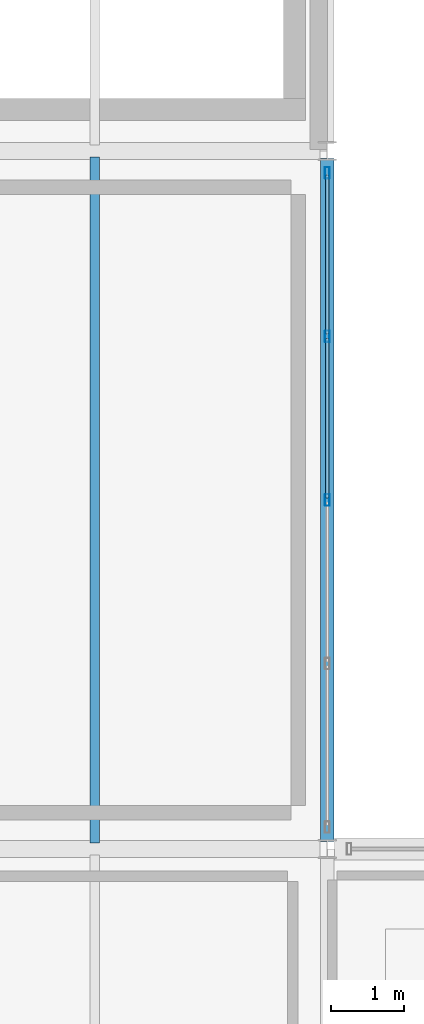
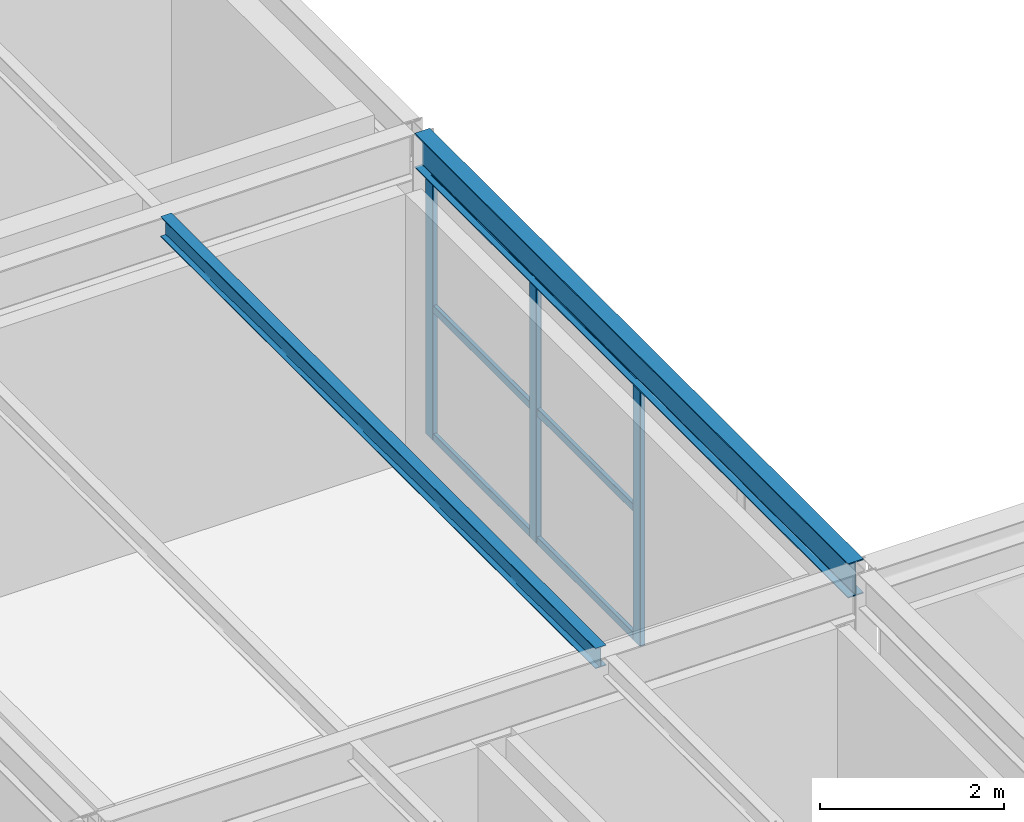
# One storey, part 17 of 33: 9 members, 2 beams, 1 element without a shape of its own.
"""IFC4 building model written with IfcOpenShell, lengths in metres."""

from ifc_helpers import new_model, si_unit, direction, frame, origin, origin_2d, place, context, subcontext, project, spatial, hollow_rectangle, i_section, extrude, material, material_profile, profile_set, type_object, element, aggregate, save


model = new_model("IFC4")

# Units and contexts
model_context = context("Model", 3, precision=1e-05, world=origin(), true_north=direction((0.0, 1.0)))
body_context = subcontext(model_context, "Body", "Model", "MODEL_VIEW")
ifc_project = project(units=[si_unit("LENGTHUNIT", "METRE"), si_unit("AREAUNIT", "SQUARE_METRE"), si_unit("VOLUMEUNIT", "CUBIC_METRE"), si_unit("PLANEANGLEUNIT", "RADIAN"), si_unit("MASSUNIT", "GRAM", prefix="KILO")], contexts=[model_context])

# Site, building, storey
site_placement = place(None, origin())
site = spatial("IfcSite", under=ifc_project, at=site_placement, CompositionType="ELEMENT")
building_placement = place(site_placement, origin())
building = spatial("IfcBuilding", under=site, at=building_placement, Name="Coralgate Yard Interchange", CompositionType="ELEMENT")
storey_placement = place(building_placement, frame((0.0, 0.0, 23.10009765625)))
storey = spatial("IfcBuildingStorey", under=building, at=storey_placement, Name="L05", CompositionType="ELEMENT", Elevation=23.10009765625)

# Beams
ifc_material_1 = material(Name="Structural steel S355J2", Category="steel")
ifc_material_profile_1 = material_profile(ifc_material_1, i_section(OverallWidth=0.1904296875, OverallDepth=0.45703125, WebThickness=0.009033203125, FlangeThickness=0.014404296875, FilletRadius=0.01025390625, at=origin_2d()), Name="UB 457x191x74")
ifc_profile_set_1 = profile_set([ifc_material_profile_1], Name="Structural steel S355J2")
beam_type_1 = type_object("IfcBeamType", Name="BM-SB-2", PredefinedType="BEAM", material=ifc_profile_set_1)
beam_1_placement = place(storey_placement, frame((19.199951171875, 19.300048828125, 3.69140625), z_axis=(0.0, 1.0, 0.0), x_axis=(-1.0, 0.0, 0.0)))
element("IfcBeam", 1, at=beam_1_placement, inside=storey, type_object=beam_type_1, Name="L05 primary grid girder X2 Y2-3", PredefinedType="BEAM", context=body_context, shape_type="SweptSolid", body=[
    extrude(i_section(OverallWidth=0.1904296875, OverallDepth=0.45703125, WebThickness=0.009033203125, FlangeThickness=0.014404296875, FilletRadius=0.01025390625, at=origin_2d()), origin(), (0.0, 0.0, 1.0), 9.399658203125),
])
ifc_material_profile_2 = material_profile(ifc_material_1, i_section(OverallWidth=0.135009765625, OverallDepth=0.27001953125, WebThickness=0.006591796875, FlangeThickness=0.01025390625, FilletRadius=0.014892578125, at=origin_2d()), Name="IPE 270")
ifc_profile_set_2 = profile_set([ifc_material_profile_2], Name="Structural steel S355J2")
beam_type_2 = type_object("IfcBeamType", Name="BM-SJ-3", PredefinedType="JOIST", material=ifc_profile_set_2)
beam_2_placement = place(storey_placement, frame((16.0, 19.2841796875, 3.784912109375), z_axis=(0.0, 1.0, 0.0), x_axis=(-1.0, 0.0, 0.0)))
element("IfcBeam", 2, at=beam_2_placement, inside=storey, type_object=beam_type_2, Name="L05 composite floor joist 1-2-2", PredefinedType="JOIST", context=body_context, shape_type="SweptSolid", body=[
    extrude(i_section(OverallWidth=0.135009765625, OverallDepth=0.27001953125, WebThickness=0.006591796875, FlangeThickness=0.01025390625, FilletRadius=0.014892578125, at=origin_2d()), origin(), (0.0, 0.0, 1.0), 9.431640625),
])

# Curtain wall, members
ifc_material_2 = material(Name="Anodised coastal aluminium and solar-control low-E glass", Category="aluminium")
curtain_wall_type = type_object("IfcCurtainWallType", Name="CW-CW-L05-A", PredefinedType="NOTDEFINED", material=ifc_material_2)
curtain_wall_placement = place(storey_placement, origin())
curtain_wall = element("IfcCurtainWall", 3, at=curtain_wall_placement, inside=storey, type_object=curtain_wall_type, Name="L05 unitised curtain wall CW-L05-E-01-02", PredefinedType="NOTDEFINED")
ifc_material_3 = material(Name="Anodised coastal aluminium 6063-T6", Category="aluminium")
ifc_material_profile_3 = material_profile(ifc_material_3, hollow_rectangle(XDim=0.06494140625, YDim=0.159912109375, WallThickness=0.00390625, InnerFilletRadius=0.00390625, OuterFilletRadius=0.008056640625, at=origin_2d()), Name="ALU 65x160x4")
ifc_profile_set_3 = profile_set([ifc_material_profile_3], Name="Anodised coastal aluminium 6063-T6")
member_type_1 = type_object("IfcMemberType", Name="MB-MUL-160", PredefinedType="MULLION", material=ifc_profile_set_3)
member_1_placement = place(storey_placement, frame((19.199951171875, 28.5, 0.0), z_axis=(0.0, 0.0, 1.0), x_axis=(1.0, 0.0, 0.0)))
member_1 = element("IfcMember", 4, at=member_1_placement, type_object=member_type_1, Name="CW-L05-E-01-02 vertical mullion 1", PredefinedType="MULLION", context=body_context, shape_type="SweptSolid", body=[
    extrude(hollow_rectangle(XDim=0.06494140625, YDim=0.159912109375, WallThickness=0.00390625, InnerFilletRadius=0.00390625, OuterFilletRadius=0.008056640625, at=origin_2d()), origin(), (0.0, 0.0, 1.0), 3.462890625),
])
member_2_placement = place(storey_placement, frame((19.199951171875, 26.25, 0.0), z_axis=(0.0, 0.0, 1.0), x_axis=(1.0, 0.0, 0.0)))
member_2 = element("IfcMember", 5, at=member_2_placement, type_object=member_type_1, Name="CW-L05-E-01-02 vertical mullion 2", PredefinedType="MULLION", context=body_context, shape_type="SweptSolid", body=[
    extrude(hollow_rectangle(XDim=0.06494140625, YDim=0.159912109375, WallThickness=0.00390625, InnerFilletRadius=0.00390625, OuterFilletRadius=0.008056640625, at=origin_2d()), origin(), (0.0, 0.0, 1.0), 3.462890625),
])
member_3_placement = place(storey_placement, frame((19.199951171875, 24.0, 0.0), z_axis=(0.0, 0.0, 1.0), x_axis=(1.0, 0.0, 0.0)))
member_3 = element("IfcMember", 6, at=member_3_placement, type_object=member_type_1, Name="CW-L05-E-01-02 vertical mullion 3", PredefinedType="MULLION", context=body_context, shape_type="SweptSolid", body=[
    extrude(hollow_rectangle(XDim=0.06494140625, YDim=0.159912109375, WallThickness=0.00390625, InnerFilletRadius=0.00390625, OuterFilletRadius=0.008056640625, at=origin_2d()), origin(), (0.0, 0.0, 1.0), 3.462890625),
])
ifc_material_profile_4 = material_profile(ifc_material_3, hollow_rectangle(XDim=0.050048828125, YDim=0.10009765625, WallThickness=0.0029296875, InnerFilletRadius=0.0029296875, OuterFilletRadius=0.006103515625, at=origin_2d()), Name="ALU 50x100x3")
ifc_profile_set_4 = profile_set([ifc_material_profile_4], Name="Anodised coastal aluminium 6063-T6")
member_type_2 = type_object("IfcMemberType", Name="MB-TRN-100", PredefinedType="USERDEFINED", material=ifc_profile_set_4)
member_4_placement = place(storey_placement, frame((19.199951171875, 28.469970703125, 0.034912109375), z_axis=(0.0, -1.0, 0.0), x_axis=(1.0, 0.0, 0.0)))
member_4 = element("IfcMember", 7, at=member_4_placement, type_object=member_type_2, Name="CW-L05-E-01-02 horizontal transom 1-1", ObjectType="TRANSOM", PredefinedType="USERDEFINED", context=body_context, shape_type="SweptSolid", body=[
    extrude(hollow_rectangle(XDim=0.050048828125, YDim=0.10009765625, WallThickness=0.0029296875, InnerFilletRadius=0.0029296875, OuterFilletRadius=0.006103515625, at=origin_2d()), origin(), (0.0, 0.0, 1.0), 2.18994140625),
])
member_5_placement = place(storey_placement, frame((19.199951171875, 28.469970703125, 1.7314453125), z_axis=(0.0, -1.0, 0.0), x_axis=(1.0, 0.0, 0.0)))
member_5 = element("IfcMember", 8, at=member_5_placement, type_object=member_type_2, Name="CW-L05-E-01-02 horizontal transom 1-2", ObjectType="TRANSOM", PredefinedType="USERDEFINED", context=body_context, shape_type="SweptSolid", body=[
    extrude(hollow_rectangle(XDim=0.050048828125, YDim=0.10009765625, WallThickness=0.0029296875, InnerFilletRadius=0.0029296875, OuterFilletRadius=0.006103515625, at=origin_2d()), origin(), (0.0, 0.0, 1.0), 2.18994140625),
])
member_6_placement = place(storey_placement, frame((19.199951171875, 28.469970703125, 3.427978515625), z_axis=(0.0, -1.0, 0.0), x_axis=(1.0, 0.0, 0.0)))
member_6 = element("IfcMember", 9, at=member_6_placement, type_object=member_type_2, Name="CW-L05-E-01-02 horizontal transom 1-3", ObjectType="TRANSOM", PredefinedType="USERDEFINED", context=body_context, shape_type="SweptSolid", body=[
    extrude(hollow_rectangle(XDim=0.050048828125, YDim=0.10009765625, WallThickness=0.0029296875, InnerFilletRadius=0.0029296875, OuterFilletRadius=0.006103515625, at=origin_2d()), origin(), (0.0, 0.0, 1.0), 2.18994140625),
])
member_7_placement = place(storey_placement, frame((19.199951171875, 26.219970703125, 0.034912109375), z_axis=(0.0, -1.0, 0.0), x_axis=(1.0, 0.0, 0.0)))
member_7 = element("IfcMember", 10, at=member_7_placement, type_object=member_type_2, Name="CW-L05-E-01-02 horizontal transom 2-1", ObjectType="TRANSOM", PredefinedType="USERDEFINED", context=body_context, shape_type="SweptSolid", body=[
    extrude(hollow_rectangle(XDim=0.050048828125, YDim=0.10009765625, WallThickness=0.0029296875, InnerFilletRadius=0.0029296875, OuterFilletRadius=0.006103515625, at=origin_2d()), origin(), (0.0, 0.0, 1.0), 2.18994140625),
])
member_8_placement = place(storey_placement, frame((19.199951171875, 26.219970703125, 1.7314453125), z_axis=(0.0, -1.0, 0.0), x_axis=(1.0, 0.0, 0.0)))
member_8 = element("IfcMember", 11, at=member_8_placement, type_object=member_type_2, Name="CW-L05-E-01-02 horizontal transom 2-2", ObjectType="TRANSOM", PredefinedType="USERDEFINED", context=body_context, shape_type="SweptSolid", body=[
    extrude(hollow_rectangle(XDim=0.050048828125, YDim=0.10009765625, WallThickness=0.0029296875, InnerFilletRadius=0.0029296875, OuterFilletRadius=0.006103515625, at=origin_2d()), origin(), (0.0, 0.0, 1.0), 2.18994140625),
])
member_9_placement = place(storey_placement, frame((19.199951171875, 26.219970703125, 3.427978515625), z_axis=(0.0, -1.0, 0.0), x_axis=(1.0, 0.0, 0.0)))
member_9 = element("IfcMember", 12, at=member_9_placement, type_object=member_type_2, Name="CW-L05-E-01-02 horizontal transom 2-3", ObjectType="TRANSOM", PredefinedType="USERDEFINED", context=body_context, shape_type="SweptSolid", body=[
    extrude(hollow_rectangle(XDim=0.050048828125, YDim=0.10009765625, WallThickness=0.0029296875, InnerFilletRadius=0.0029296875, OuterFilletRadius=0.006103515625, at=origin_2d()), origin(), (0.0, 0.0, 1.0), 2.18994140625),
])
aggregate(curtain_wall, [member_1, member_2, member_3, member_4, member_5, member_6, member_7, member_8, member_9])

save(model, "model.ifc")
